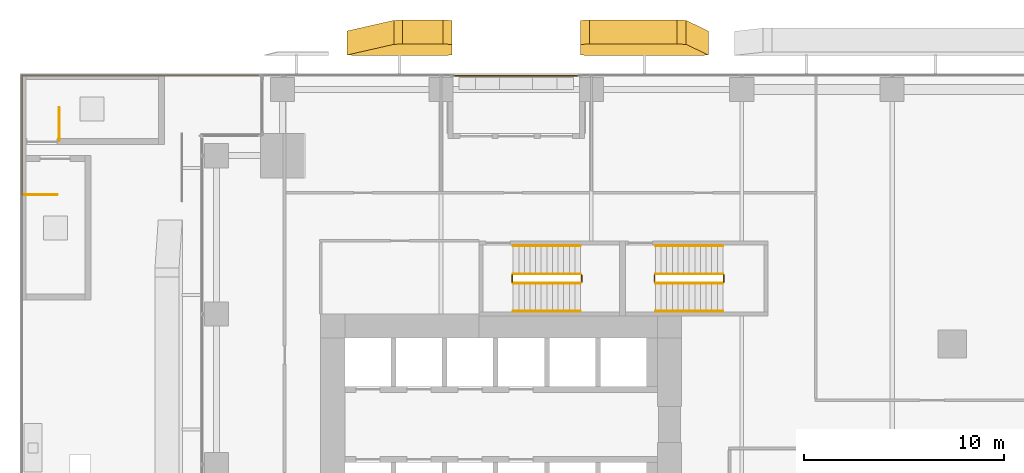
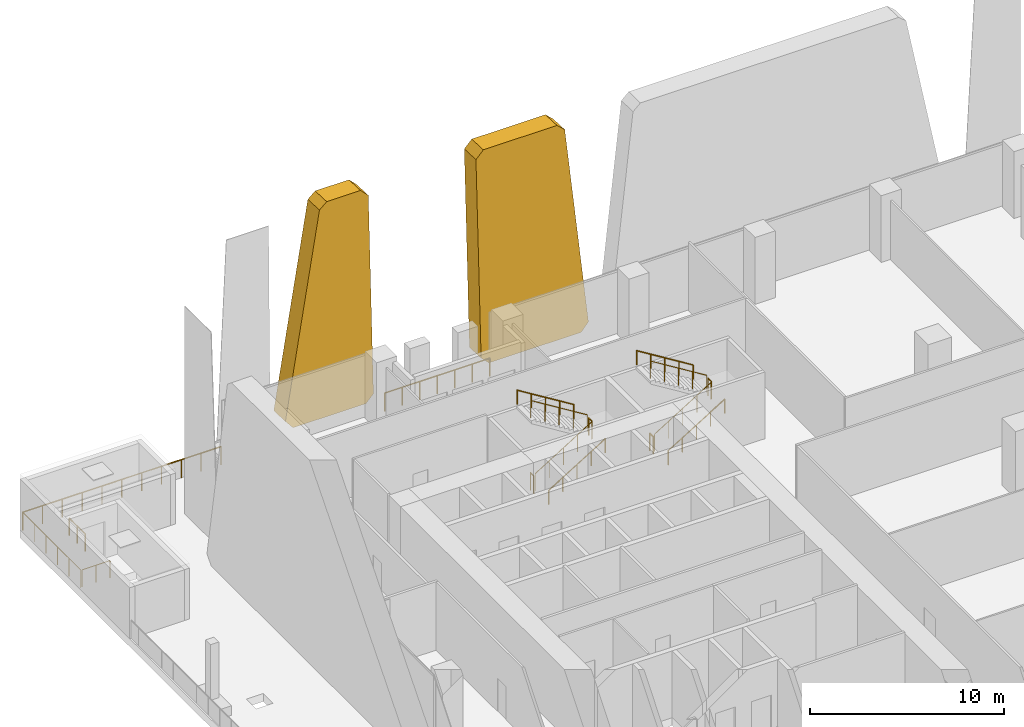
# One storey, part 44 of 46: 18 railings, 2 coverings.
"""IFC4 building model written with IfcOpenShell, lengths in metres."""

from ifc_helpers import new_model, si_unit, direction, frame, origin, origin_2d, place, context, subcontext, project, spatial, polyline, circle, outline, extrude, source, transform, mapped, material, layer, layer_set, type_object, element, save


model = new_model("IFC4")

# Units and contexts
model_context = context("Model", 3, precision=1e-05, world=origin(), true_north=direction((0.0, 1.0)))
body_context = subcontext(model_context, "Body", "Model", "MODEL_VIEW")
ifc_project = project(units=[si_unit("LENGTHUNIT", "METRE"), si_unit("AREAUNIT", "SQUARE_METRE"), si_unit("VOLUMEUNIT", "CUBIC_METRE"), si_unit("PLANEANGLEUNIT", "RADIAN"), si_unit("MASSUNIT", "GRAM", prefix="KILO")], contexts=[model_context])

# Site, building, storey
site_placement = place(None, origin())
site = spatial("IfcSite", under=ifc_project, at=site_placement, CompositionType="ELEMENT")
building_placement = place(site_placement, origin())
building = spatial("IfcBuilding", under=site, at=building_placement, Name="Khomas Fold Tower", CompositionType="ELEMENT")
storey_placement = place(building_placement, frame((0.0, 0.0, 33.0)))
storey = spatial("IfcBuildingStorey", under=building, at=storey_placement, Name="L06", CompositionType="ELEMENT", Elevation=33.0)

# Coverings
ifc_material_1 = material(Name="Natural stone cladding", Category="masonry")
ifc_layer = layer(ifc_material_1, 1.199951171875)
ifc_layer_set = layer_set([ifc_layer], Name="Natural stone cladding")
covering_type = type_object("IfcCoveringType", Name="SK-Karibib marble stone panel", PredefinedType="CLADDING", material=ifc_layer_set)
covering_1_placement = place(storey_placement, frame((18.949951171875, 54.919677734375, 0.449951171875), z_axis=(-1.1876612e-05, -0.999042294212, 0.043754933828), x_axis=(-8.6e-11, 0.043754933831, 0.999042294283)))
element("IfcCovering", 1, at=covering_1_placement, inside=storey, type_object=covering_type, Name="OUTER SKIN leaf L06 NS05-1", PredefinedType="CLADDING", context=body_context, shape_type="SweptSolid", body=[
    extrude(outline(polyline([(0.0, 0.0), (12.161797757644978, -2.541098841762901e-21), (12.612172597222846, -0.44995117396083545), (12.612172596846348, -4.831542970526815), (12.202361064170725, -5.279785156664067), (0.04080721324103281, -6.383544922338114), (-0.4503855224834499, -5.9355468753606), (-0.4503855220120875, -0.44995117262248285), (0.0, 0.0)])), origin(), (0.0, 0.0, -1.0), 1.199951171875),
])
covering_2_placement = place(storey_placement, frame((12.550048828125, 55.451904296875, 12.60009765625), z_axis=(1.2810936e-05, -0.999042182292, 0.043757488934), x_axis=(-6e-11, -0.043757488938, -0.999042182374)))
element("IfcCovering", 2, at=covering_2_placement, inside=storey, type_object=covering_type, Name="OUTER SKIN leaf L06 NS05-2", PredefinedType="CLADDING", context=body_context, shape_type="SweptSolid", body=[
    extrude(outline(polyline([(0.0, 0.0), (12.161797757830243, -8.470329472543003e-22), (12.61218328000529, -0.44995117267859386), (12.612183280265622, -4.794433594197085), (12.076757953017042, -5.236328125332215), (-0.08479589817023864, -2.9025878910118488), (-0.45037483901993636, -2.4606933614572317), (-0.4503748391404249, -0.44995117412223357), (0.0, 0.0)])), origin(), (0.0, 0.0, -1.0), 1.199951171875),
])

# Railings
ifc_material_2 = material(Name="Powder-coated steel", Category="steel")
railing_type_1 = type_object("IfcRailingType", Name="Balcony guard", PredefinedType="GUARDRAIL", material=ifc_material_2)
shared_shape_1 = source(origin(), body_context, "Body", "SweptSolid", [
    extrude(circle(Radius=0.02490234375, at=origin_2d()), frame((0.0, 0.0, 1.125), z_axis=(1.0, 0.0, 0.0), x_axis=(0.0, 1.0, 0.0)), (0.0, 0.0, 1.0), 6.240234375),
    extrude(circle(Radius=0.02001953125, at=origin_2d()), origin(), (0.0, 0.0, 1.0), 1.099853515625),
    extrude(circle(Radius=0.02001953125, at=origin_2d()), frame((1.0400390625, 0.0, 0.0)), (0.0, 0.0, 1.0), 1.099853515625),
    extrude(circle(Radius=0.02001953125, at=origin_2d()), frame((2.080078125, 0.0, 0.0)), (0.0, 0.0, 1.0), 1.099853515625),
    extrude(circle(Radius=0.02001953125, at=origin_2d()), frame((3.1201171875, 0.0, 0.0)), (0.0, 0.0, 1.0), 1.099853515625),
    extrude(circle(Radius=0.02001953125, at=origin_2d()), frame((4.16015625, 0.0, 0.0)), (0.0, 0.0, 1.0), 1.099853515625),
    extrude(circle(Radius=0.02001953125, at=origin_2d()), frame((5.2001953125, 0.0, 0.0)), (0.0, 0.0, 1.0), 1.099853515625),
    extrude(circle(Radius=0.02001953125, at=origin_2d()), frame((6.240234375, 0.0, 0.0)), (0.0, 0.0, 1.0), 1.099853515625),
])
railing_1_placement = place(storey_placement, frame((12.6298828125, 53.89990234375, -0.044921875)))
element("IfcRailing", 3, at=railing_1_placement, inside=storey, type_object=railing_type_1, Name="Balcony guard BAL-L06-N1", PredefinedType="GUARDRAIL", context=body_context, shape_type="MappedRepresentation", body=[
    mapped(shared_shape_1, transform((0.0, 0.0, 0.0))),
])
shared_shape_2 = source(origin(), body_context, "Body", "SweptSolid", [
    extrude(circle(Radius=0.02490234375, at=origin_2d()), frame((0.0, 0.0, 1.125), z_axis=(0.0, 1.0, 0.0), x_axis=(-1.0, 0.0, 0.0)), (0.0, 0.0, 1.0), 5.977783203125),
    extrude(circle(Radius=0.02001953125, at=origin_2d()), origin(), (0.0, 0.0, 1.0), 1.099853515625),
    extrude(circle(Radius=0.02001953125, at=origin_2d()), frame((0.0, 1.195556640625, 0.0)), (0.0, 0.0, 1.0), 1.099853515625),
    extrude(circle(Radius=0.02001953125, at=origin_2d()), frame((0.0, 2.39111328125, 0.0)), (0.0, 0.0, 1.0), 1.099853515625),
    extrude(circle(Radius=0.02001953125, at=origin_2d()), frame((0.0, 3.586669921875, 0.0)), (0.0, 0.0, 1.0), 1.099853515625),
    extrude(circle(Radius=0.02001953125, at=origin_2d()), frame((0.0, 4.7822265625, 0.0)), (0.0, 0.0, 1.0), 1.099853515625),
    extrude(circle(Radius=0.02001953125, at=origin_2d()), frame((0.0, 5.977783203125, 0.0)), (0.0, 0.0, 1.0), 1.099853515625),
])
railing_2_placement = place(storey_placement, frame((-8.89990234375, 47.922119140625, 0.0)))
element("IfcRailing", 4, at=railing_2_placement, inside=storey, type_object=railing_type_1, Name="GUARD 201", PredefinedType="GUARDRAIL", context=body_context, shape_type="MappedRepresentation", body=[
    mapped(shared_shape_2, transform((0.0, 0.0, 0.0))),
])
shared_shape_3 = source(origin(), body_context, "Body", "SweptSolid", [
    extrude(circle(Radius=0.02490234375, at=origin_2d()), frame((0.0, 0.0, 1.125), z_axis=(1.0, 0.0, 0.0), x_axis=(0.0, 1.0, 0.0)), (0.0, 0.0, 1.0), 5.89501953125),
    extrude(circle(Radius=0.02001953125, at=origin_2d()), origin(), (0.0, 0.0, 1.0), 1.099853515625),
    extrude(circle(Radius=0.02001953125, at=origin_2d()), frame((1.178955078125, 0.0, 0.0)), (0.0, 0.0, 1.0), 1.099853515625),
    extrude(circle(Radius=0.02001953125, at=origin_2d()), frame((2.35791015625, 0.0, 0.0)), (0.0, 0.0, 1.0), 1.099853515625),
    extrude(circle(Radius=0.02001953125, at=origin_2d()), frame((3.537109375, 0.0, 0.0)), (0.0, 0.0, 1.0), 1.099853515625),
    extrude(circle(Radius=0.02001953125, at=origin_2d()), frame((4.716064453125, 0.0, 0.0)), (0.0, 0.0, 1.0), 1.099853515625),
    extrude(circle(Radius=0.02001953125, at=origin_2d()), frame((5.89501953125, 0.0, 0.0)), (0.0, 0.0, 1.0), 1.099853515625),
])
railing_3_placement = place(storey_placement, frame((-8.89990234375, 53.89990234375, 0.0)))
element("IfcRailing", 5, at=railing_3_placement, inside=storey, type_object=railing_type_1, Name="GUARD 201", PredefinedType="GUARDRAIL", context=body_context, shape_type="MappedRepresentation", body=[
    mapped(shared_shape_3, transform((0.0, 0.0, 0.0))),
])
shared_shape_4 = source(origin(), body_context, "Body", "SweptSolid", [
    extrude(circle(Radius=0.02490234375, at=origin_2d()), frame((0.0, 0.0, 1.125), z_axis=(1.0, 0.0, 0.0), x_axis=(0.0, 1.0, 0.0)), (0.0, 0.0, 1.0), 5.894775390625),
    extrude(circle(Radius=0.02001953125, at=origin_2d()), origin(), (0.0, 0.0, 1.0), 1.099853515625),
    extrude(circle(Radius=0.02001953125, at=origin_2d()), frame((1.178955078125, 0.0, 0.0)), (0.0, 0.0, 1.0), 1.099853515625),
    extrude(circle(Radius=0.02001953125, at=origin_2d()), frame((2.35791015625, 0.0, 0.0)), (0.0, 0.0, 1.0), 1.099853515625),
    extrude(circle(Radius=0.02001953125, at=origin_2d()), frame((3.536865234375, 0.0, 0.0)), (0.0, 0.0, 1.0), 1.099853515625),
    extrude(circle(Radius=0.02001953125, at=origin_2d()), frame((4.7158203125, 0.0, 0.0)), (0.0, 0.0, 1.0), 1.099853515625),
    extrude(circle(Radius=0.02001953125, at=origin_2d()), frame((5.894775390625, 0.0, 0.0)), (0.0, 0.0, 1.0), 1.099853515625),
])
railing_4_placement = place(storey_placement, frame((-3.0048828125, 53.89990234375, 0.0)))
element("IfcRailing", 6, at=railing_4_placement, inside=storey, type_object=railing_type_1, Name="GUARD 201", PredefinedType="GUARDRAIL", context=body_context, shape_type="MappedRepresentation", body=[
    mapped(shared_shape_4, transform((0.0, 0.0, 0.0))),
])
ifc_material_3 = material(Name="Steel balustrade", Category="steel")
railing_type_2 = type_object("IfcRailingType", Name="Stair guard", PredefinedType="GUARDRAIL", material=ifc_material_3)
shared_shape_5 = source(origin(), body_context, "Body", "SweptSolid", [
    extrude(circle(Radius=0.02392578125, at=origin_2d()), frame((0.0, 0.0, 1.076171875), z_axis=(0.850606129759, 0.0, 0.525803396734), x_axis=(0.0, 1.0, 0.0)), (0.0, 0.0, 1.0), 3.949951171875),
    extrude(circle(Radius=0.02099609375, at=origin_2d()), origin(), (0.0, 0.0, 1.0), 1.052001953125),
    extrude(circle(Radius=0.02099609375, at=origin_2d()), frame((0.83984375, 0.0, 0.519287109375)), (0.0, 0.0, 1.0), 1.052001953125),
    extrude(circle(Radius=0.02099609375, at=origin_2d()), frame((1.679931640625, 0.0, 1.03857421875)), (0.0, 0.0, 1.0), 1.052001953125),
    extrude(circle(Radius=0.02099609375, at=origin_2d()), frame((2.52001953125, 0.0, 1.5576171875)), (0.0, 0.0, 1.0), 1.052001953125),
    extrude(circle(Radius=0.02099609375, at=origin_2d()), frame((3.35986328125, 0.0, 2.076904296875)), (0.0, 0.0, 1.0), 1.052001953125),
])
railing_5_placement = place(storey_placement, frame((15.60009765625, 43.550048828125, 0.173095703125)))
element("IfcRailing", 7, at=railing_5_placement, inside=storey, type_object=railing_type_2, Name="L06 ST1 stair guard 1", PredefinedType="GUARDRAIL", context=body_context, shape_type="MappedRepresentation", body=[
    mapped(shared_shape_5, transform((0.0, 0.0, 0.0))),
])
shared_shape_6 = source(origin(), body_context, "Body", "SweptSolid", [
    extrude(circle(Radius=0.02392578125, at=origin_2d()), frame((0.0, 0.0, 1.076171875), z_axis=(0.0, 1.0, 0.0), x_axis=(-1.0, 0.0, 0.0)), (0.0, 0.0, 1.0), 0.349853515625),
    extrude(circle(Radius=0.02099609375, at=origin_2d()), origin(), (0.0, 0.0, 1.0), 1.052001953125),
    extrude(circle(Radius=0.02099609375, at=origin_2d()), frame((0.0, 0.349853515625, 0.0)), (0.0, 0.0, 1.0), 1.052001953125),
])
for number, where, name in (
    (8, (19.010009765625, 43.60009765625, 2.25), "L06 ST1 stair guard 2"),
    (9, (15.550048828125, 43.60009765625, 0.0), "L06 ST1 stair guard 4"),
    (10, (26.110107421875, 43.60009765625, 2.25), "L06 ST3 stair guard 2"),
    (11, (22.64990234375, 43.60009765625, 0.0), "L06 ST3 stair guard 4"),
):
    element("IfcRailing", number, at=place(storey_placement, frame(where)), inside=storey, type_object=railing_type_2, Name=name, PredefinedType="GUARDRAIL", context=body_context, shape_type="MappedRepresentation", body=[
        mapped(shared_shape_6, transform((0.0, 0.0, 0.0))),
    ])
shared_shape_7 = source(origin(), body_context, "Body", "SweptSolid", [
    extrude(circle(Radius=0.02392578125, at=origin_2d()), frame((0.0, 0.0, 1.076171875), z_axis=(-0.850606129759, 0.0, 0.525803396734), x_axis=(0.0, -1.0, 0.0)), (0.0, 0.0, 1.0), 3.949951171875),
    extrude(circle(Radius=0.02099609375, at=origin_2d()), origin(), (0.0, 0.0, 1.0), 1.052001953125),
    extrude(circle(Radius=0.02099609375, at=origin_2d()), frame((-0.83984375, 0.0, 0.519287109375)), (0.0, 0.0, 1.0), 1.052001953125),
    extrude(circle(Radius=0.02099609375, at=origin_2d()), frame((-1.679931640625, 0.0, 1.03857421875)), (0.0, 0.0, 1.0), 1.052001953125),
    extrude(circle(Radius=0.02099609375, at=origin_2d()), frame((-2.52001953125, 0.0, 1.5576171875)), (0.0, 0.0, 1.0), 1.052001953125),
    extrude(circle(Radius=0.02099609375, at=origin_2d()), frame((-3.35986328125, 0.0, 2.076904296875)), (0.0, 0.0, 1.0), 1.052001953125),
])
railing_6_placement = place(storey_placement, frame((18.9599609375, 44.0, 2.423095703125)))
element("IfcRailing", 12, at=railing_6_placement, inside=storey, type_object=railing_type_2, Name="L06 ST1 stair guard 3", PredefinedType="GUARDRAIL", context=body_context, shape_type="MappedRepresentation", body=[
    mapped(shared_shape_7, transform((0.0, 0.0, 0.0))),
])
ifc_material_4 = material(Name="Steel handrail", Category="steel")
railing_type_3 = type_object("IfcRailingType", Name="Stair handrail", PredefinedType="HANDRAIL", material=ifc_material_4)
shared_shape_8 = source(origin(), body_context, "Body", "SweptSolid", [
    extrude(circle(Radius=0.02392578125, at=origin_2d()), frame((0.0, 0.0, 0.8759765625), z_axis=(0.850606129759, 0.0, 0.525803396734), x_axis=(0.0, 1.0, 0.0)), (0.0, 0.0, 1.0), 3.949951171875),
    extrude(circle(Radius=0.02099609375, at=origin_2d()), origin(), (0.0, 0.0, 1.0), 0.851806640625),
    extrude(circle(Radius=0.02099609375, at=origin_2d()), frame((0.83984375, 0.0, 0.519287109375)), (0.0, 0.0, 1.0), 0.851806640625),
    extrude(circle(Radius=0.02099609375, at=origin_2d()), frame((1.679931640625, 0.0, 1.03857421875)), (0.0, 0.0, 1.0), 0.851806640625),
    extrude(circle(Radius=0.02099609375, at=origin_2d()), frame((2.52001953125, 0.0, 1.5576171875)), (0.0, 0.0, 1.0), 0.851806640625),
    extrude(circle(Radius=0.02099609375, at=origin_2d()), frame((3.35986328125, 0.0, 2.076904296875)), (0.0, 0.0, 1.0), 0.851806640625),
])
railing_7_placement = place(storey_placement, frame((15.60009765625, 42.14990234375, 0.173095703125)))
element("IfcRailing", 13, at=railing_7_placement, inside=storey, type_object=railing_type_3, Name="L06 ST1 stair handrail 1", PredefinedType="HANDRAIL", context=body_context, shape_type="MappedRepresentation", body=[
    mapped(shared_shape_8, transform((0.0, 0.0, 0.0))),
])
shared_shape_9 = source(origin(), body_context, "Body", "SweptSolid", [
    extrude(circle(Radius=0.02392578125, at=origin_2d()), frame((0.0, 0.0, 0.8759765625), z_axis=(-0.850606129759, 0.0, 0.525803396734), x_axis=(0.0, -1.0, 0.0)), (0.0, 0.0, 1.0), 3.949951171875),
    extrude(circle(Radius=0.02099609375, at=origin_2d()), origin(), (0.0, 0.0, 1.0), 0.851806640625),
    extrude(circle(Radius=0.02099609375, at=origin_2d()), frame((-0.83984375, 0.0, 0.519287109375)), (0.0, 0.0, 1.0), 0.851806640625),
    extrude(circle(Radius=0.02099609375, at=origin_2d()), frame((-1.679931640625, 0.0, 1.03857421875)), (0.0, 0.0, 1.0), 0.851806640625),
    extrude(circle(Radius=0.02099609375, at=origin_2d()), frame((-2.52001953125, 0.0, 1.5576171875)), (0.0, 0.0, 1.0), 0.851806640625),
    extrude(circle(Radius=0.02099609375, at=origin_2d()), frame((-3.35986328125, 0.0, 2.076904296875)), (0.0, 0.0, 1.0), 0.851806640625),
])
railing_8_placement = place(storey_placement, frame((18.9599609375, 45.39990234375, 2.423095703125)))
element("IfcRailing", 14, at=railing_8_placement, inside=storey, type_object=railing_type_3, Name="L06 ST1 stair handrail 2", PredefinedType="HANDRAIL", context=body_context, shape_type="MappedRepresentation", body=[
    mapped(shared_shape_9, transform((0.0, 0.0, 0.0))),
])
shared_shape_10 = source(origin(), body_context, "Body", "SweptSolid", [
    extrude(circle(Radius=0.02392578125, at=origin_2d()), frame((0.0, 0.0, 1.076171875), z_axis=(0.850623216509, 0.0, 0.525775754039), x_axis=(0.0, 1.0, 0.0)), (0.0, 0.0, 1.0), 3.9501953125),
    extrude(circle(Radius=0.02099609375, at=origin_2d()), origin(), (0.0, 0.0, 1.0), 1.052001953125),
    extrude(circle(Radius=0.02099609375, at=origin_2d()), frame((0.840087890625, 0.0, 0.519287109375)), (0.0, 0.0, 1.0), 1.052001953125),
    extrude(circle(Radius=0.02099609375, at=origin_2d()), frame((1.68017578125, 0.0, 1.03857421875)), (0.0, 0.0, 1.0), 1.052001953125),
    extrude(circle(Radius=0.02099609375, at=origin_2d()), frame((2.52001953125, 0.0, 1.5576171875)), (0.0, 0.0, 1.0), 1.052001953125),
    extrude(circle(Radius=0.02099609375, at=origin_2d()), frame((3.360107421875, 0.0, 2.076904296875)), (0.0, 0.0, 1.0), 1.052001953125),
])
railing_9_placement = place(storey_placement, frame((22.699951171875, 43.550048828125, 0.173095703125)))
element("IfcRailing", 15, at=railing_9_placement, inside=storey, type_object=railing_type_2, Name="L06 ST3 stair guard 1", PredefinedType="GUARDRAIL", context=body_context, shape_type="MappedRepresentation", body=[
    mapped(shared_shape_10, transform((0.0, 0.0, 0.0))),
])
shared_shape_11 = source(origin(), body_context, "Body", "SweptSolid", [
    extrude(circle(Radius=0.02392578125, at=origin_2d()), frame((0.0, 0.0, 1.076171875), z_axis=(-0.850623216509, 0.0, 0.525775754039), x_axis=(0.0, -1.0, 0.0)), (0.0, 0.0, 1.0), 3.9501953125),
    extrude(circle(Radius=0.02099609375, at=origin_2d()), origin(), (0.0, 0.0, 1.0), 1.052001953125),
    extrude(circle(Radius=0.02099609375, at=origin_2d()), frame((-0.840087890625, 0.0, 0.519287109375)), (0.0, 0.0, 1.0), 1.052001953125),
    extrude(circle(Radius=0.02099609375, at=origin_2d()), frame((-1.68017578125, 0.0, 1.03857421875)), (0.0, 0.0, 1.0), 1.052001953125),
    extrude(circle(Radius=0.02099609375, at=origin_2d()), frame((-2.52001953125, 0.0, 1.5576171875)), (0.0, 0.0, 1.0), 1.052001953125),
    extrude(circle(Radius=0.02099609375, at=origin_2d()), frame((-3.360107421875, 0.0, 2.076904296875)), (0.0, 0.0, 1.0), 1.052001953125),
])
railing_10_placement = place(storey_placement, frame((26.06005859375, 44.0, 2.423095703125)))
element("IfcRailing", 16, at=railing_10_placement, inside=storey, type_object=railing_type_2, Name="L06 ST3 stair guard 3", PredefinedType="GUARDRAIL", context=body_context, shape_type="MappedRepresentation", body=[
    mapped(shared_shape_11, transform((0.0, 0.0, 0.0))),
])
shared_shape_12 = source(origin(), body_context, "Body", "SweptSolid", [
    extrude(circle(Radius=0.02392578125, at=origin_2d()), frame((0.0, 0.0, 0.8759765625), z_axis=(0.850623216509, 0.0, 0.525775754039), x_axis=(0.0, 1.0, 0.0)), (0.0, 0.0, 1.0), 3.9501953125),
    extrude(circle(Radius=0.02099609375, at=origin_2d()), origin(), (0.0, 0.0, 1.0), 0.851806640625),
    extrude(circle(Radius=0.02099609375, at=origin_2d()), frame((0.840087890625, 0.0, 0.519287109375)), (0.0, 0.0, 1.0), 0.851806640625),
    extrude(circle(Radius=0.02099609375, at=origin_2d()), frame((1.68017578125, 0.0, 1.03857421875)), (0.0, 0.0, 1.0), 0.851806640625),
    extrude(circle(Radius=0.02099609375, at=origin_2d()), frame((2.52001953125, 0.0, 1.5576171875)), (0.0, 0.0, 1.0), 0.851806640625),
    extrude(circle(Radius=0.02099609375, at=origin_2d()), frame((3.360107421875, 0.0, 2.076904296875)), (0.0, 0.0, 1.0), 0.851806640625),
])
railing_11_placement = place(storey_placement, frame((22.699951171875, 42.14990234375, 0.173095703125)))
element("IfcRailing", 17, at=railing_11_placement, inside=storey, type_object=railing_type_3, Name="L06 ST3 stair handrail 1", PredefinedType="HANDRAIL", context=body_context, shape_type="MappedRepresentation", body=[
    mapped(shared_shape_12, transform((0.0, 0.0, 0.0))),
])
shared_shape_13 = source(origin(), body_context, "Body", "SweptSolid", [
    extrude(circle(Radius=0.02392578125, at=origin_2d()), frame((0.0, 0.0, 0.8759765625), z_axis=(-0.850623216509, 0.0, 0.525775754039), x_axis=(0.0, -1.0, 0.0)), (0.0, 0.0, 1.0), 3.9501953125),
    extrude(circle(Radius=0.02099609375, at=origin_2d()), origin(), (0.0, 0.0, 1.0), 0.851806640625),
    extrude(circle(Radius=0.02099609375, at=origin_2d()), frame((-0.840087890625, 0.0, 0.519287109375)), (0.0, 0.0, 1.0), 0.851806640625),
    extrude(circle(Radius=0.02099609375, at=origin_2d()), frame((-1.68017578125, 0.0, 1.03857421875)), (0.0, 0.0, 1.0), 0.851806640625),
    extrude(circle(Radius=0.02099609375, at=origin_2d()), frame((-2.52001953125, 0.0, 1.5576171875)), (0.0, 0.0, 1.0), 0.851806640625),
    extrude(circle(Radius=0.02099609375, at=origin_2d()), frame((-3.360107421875, 0.0, 2.076904296875)), (0.0, 0.0, 1.0), 0.851806640625),
])
railing_12_placement = place(storey_placement, frame((26.06005859375, 45.39990234375, 2.423095703125)))
element("IfcRailing", 18, at=railing_12_placement, inside=storey, type_object=railing_type_3, Name="L06 ST3 stair handrail 2", PredefinedType="HANDRAIL", context=body_context, shape_type="MappedRepresentation", body=[
    mapped(shared_shape_13, transform((0.0, 0.0, 0.0))),
])
shared_shape_14 = source(origin(), body_context, "Body", "SweptSolid", [
    extrude(circle(Radius=0.02392578125, at=origin_2d()), frame((0.0, 0.0, 1.076171875), z_axis=(0.0, 1.0, 0.0), x_axis=(-1.0, 0.0, 0.0)), (0.0, 0.0, 1.0), 1.650146484375),
    extrude(circle(Radius=0.02099609375, at=origin_2d()), origin(), (0.0, 0.0, 1.0), 1.052001953125),
    extrude(circle(Radius=0.02099609375, at=origin_2d()), frame((0.0, 0.8251953125, 0.0)), (0.0, 0.0, 1.0), 1.052001953125),
    extrude(circle(Radius=0.02099609375, at=origin_2d()), frame((0.0, 1.650146484375, 0.0)), (0.0, 0.0, 1.0), 1.052001953125),
])
railing_13_placement = place(storey_placement, frame((-7.050048828125, 50.64990234375, 0.0)))
element("IfcRailing", 19, at=railing_13_placement, inside=storey, type_object=railing_type_2, Name="L06 PS7 top well guard 1", PredefinedType="GUARDRAIL", context=body_context, shape_type="MappedRepresentation", body=[
    mapped(shared_shape_14, transform((0.0, 0.0, 0.0))),
])
shared_shape_15 = source(origin(), body_context, "Body", "SweptSolid", [
    extrude(circle(Radius=0.02392578125, at=origin_2d()), frame((0.0, 0.0, 1.076171875), z_axis=(1.0, 0.0, 0.0), x_axis=(0.0, 1.0, 0.0)), (0.0, 0.0, 1.0), 1.650146484375),
    extrude(circle(Radius=0.02099609375, at=origin_2d()), origin(), (0.0, 0.0, 1.0), 1.052001953125),
    extrude(circle(Radius=0.02099609375, at=origin_2d()), frame((0.8251953125, 0.0, 0.0)), (0.0, 0.0, 1.0), 1.052001953125),
    extrude(circle(Radius=0.02099609375, at=origin_2d()), frame((1.650146484375, 0.0, 0.0)), (0.0, 0.0, 1.0), 1.052001953125),
])
railing_14_placement = place(storey_placement, frame((-8.800048828125, 47.949951171875, 0.0)))
element("IfcRailing", 20, at=railing_14_placement, inside=storey, type_object=railing_type_2, Name="L06 PS8 top well guard 1", PredefinedType="GUARDRAIL", context=body_context, shape_type="MappedRepresentation", body=[
    mapped(shared_shape_15, transform((0.0, 0.0, 0.0))),
])

save(model, "model.ifc")
